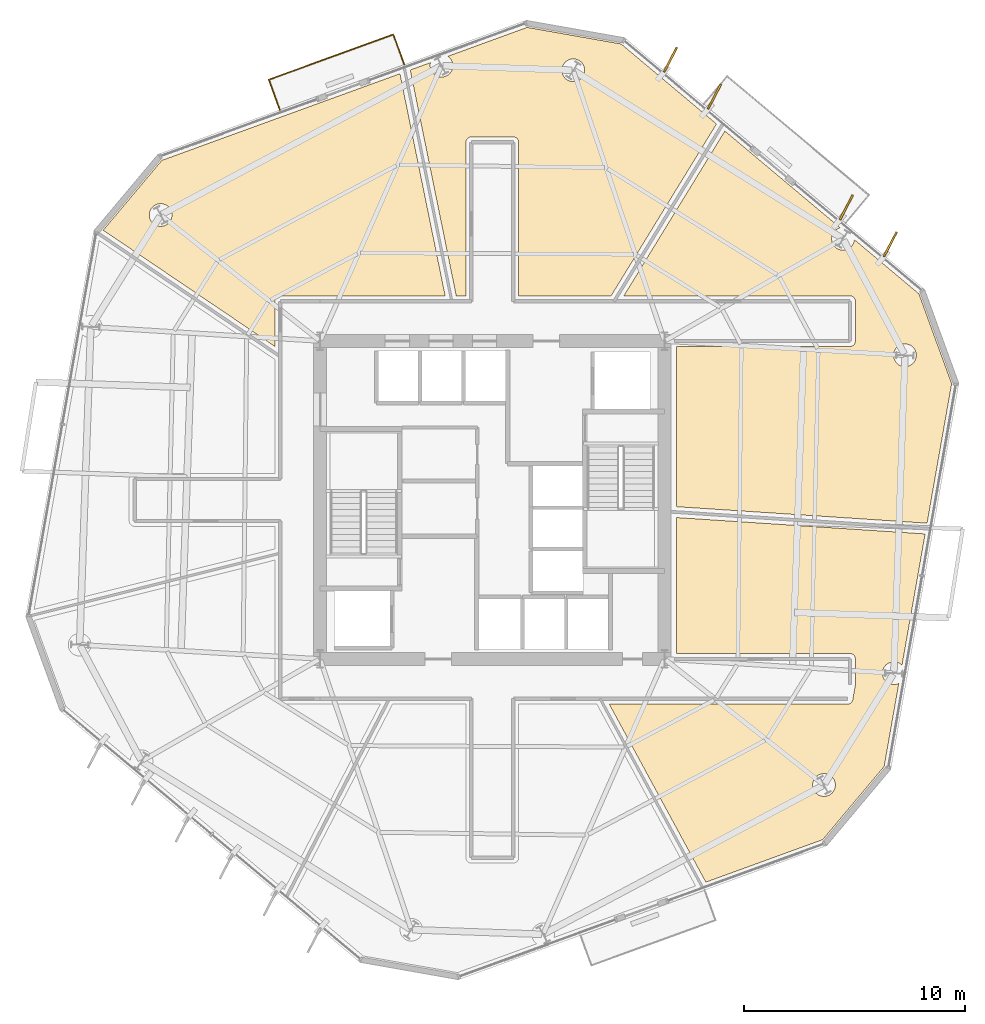
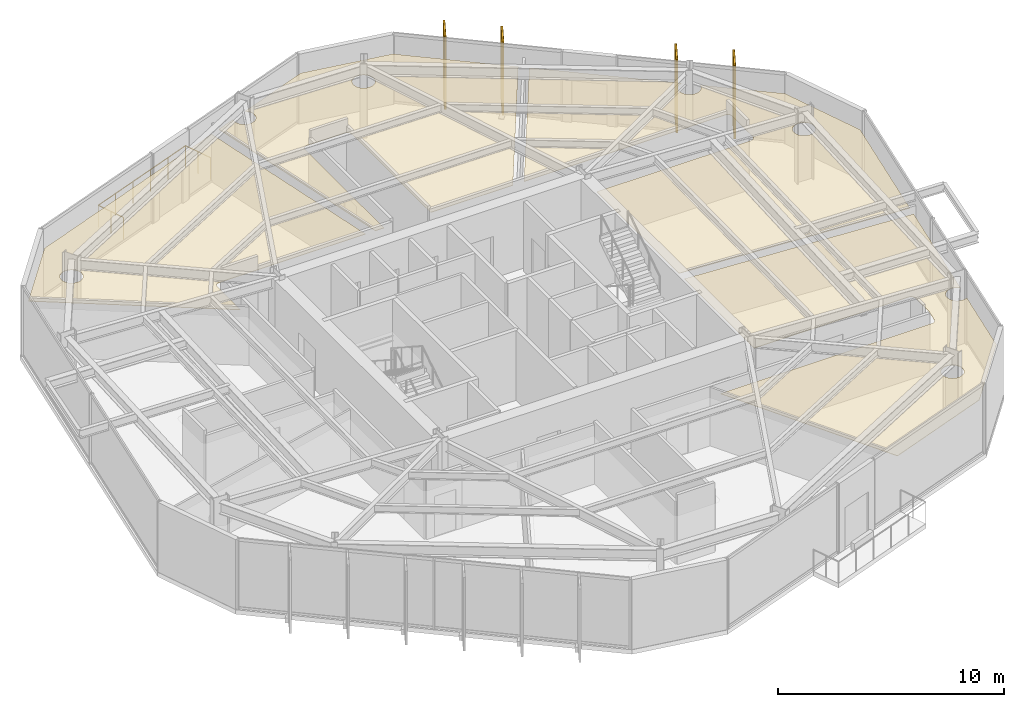
# One storey, part 12 of 13: 8 coverings, 4 shading devices, 1 railing.
"""IFC4 building model written with IfcOpenShell, lengths in metres."""

from ifc_helpers import new_model, si_unit, direction, frame, origin, origin_2d, place, context, subcontext, project, spatial, polyline, rectangle, circle, outline, extrude, material, layer, layer_set, type_object, element, save


model = new_model("IFC4")

# Units and contexts
model_context = context("Model", 3, precision=1e-05, world=origin(), true_north=direction((0.0, 1.0)))
body_context = subcontext(model_context, "Body", "Model", "MODEL_VIEW")
ifc_project = project(units=[si_unit("LENGTHUNIT", "METRE"), si_unit("AREAUNIT", "SQUARE_METRE"), si_unit("VOLUMEUNIT", "CUBIC_METRE"), si_unit("PLANEANGLEUNIT", "RADIAN"), si_unit("MASSUNIT", "GRAM", prefix="KILO")], contexts=[model_context])

# Site, building, storey
site_placement = place(None, origin())
site = spatial("IfcSite", under=ifc_project, at=site_placement, CompositionType="ELEMENT")
building_placement = place(site_placement, origin())
building = spatial("IfcBuilding", under=site, at=building_placement, Name="Kranzbogen Civic Tower", CompositionType="ELEMENT")
storey_placement = place(building_placement, frame((0.0, 0.0, 102.39990234375)))
storey = spatial("IfcBuildingStorey", under=building, at=storey_placement, Name="L24", CompositionType="ELEMENT", Elevation=102.39990234375)

# Coverings
ifc_material_1 = material(Name="Pale Anodised Aluminium", Category="aluminium")
ifc_layer_1 = layer(ifc_material_1, 0.02490234375, Name="Pale Anodised Aluminium")
ifc_layer_set_1 = layer_set([ifc_layer_1], Name="Pale Anodised Aluminium")
covering_type_1 = type_object("IfcCoveringType", Name="Anodised Aluminium Vertical Fin Cladding 25 mm", PredefinedType="CLADDING", material=ifc_layer_set_1)
for number, where, z_axis, x_axis, name in (
    (1, (43.027099609375, 36.58203125, -0.139892578125), (0.0, 0.0, 1.0), (0.461856978605, 0.886954413323, 0.0), "L24 vertical fin pale-metal cladding F1-1"),
    (2, (41.035888671875, 38.2529296875, -0.139892578125), (0.0, 0.0, 1.0), (0.461856978605, 0.886954413323, 0.0), "L24 vertical fin pale-metal cladding F1-2"),
    (3, (35.06005859375, 43.26708984375, -0.139892578125), (0.0, 0.0, 1.0), (0.461856978605, 0.886954413323, 0.0), "L24 vertical fin pale-metal cladding F1-5"),
    (4, (33.069091796875, 44.93798828125, -0.139892578125), (0.0, 0.0, 1.0), (0.461856978605, 0.886954413323, 0.0), "L24 vertical fin pale-metal cladding F1-6"),
):
    element("IfcCovering", number, at=place(storey_placement, frame(where, z_axis=z_axis, x_axis=x_axis)), inside=storey, type_object=covering_type_1, Name=name, PredefinedType="CLADDING", context=body_context, shape_type="SweptSolid", body=[
        extrude(rectangle(XDim=1.25, YDim=0.10009765625, at=origin_2d()), origin(), (0.0, 0.0, 1.0), 3.9599609375),
    ])

# Shading devices
ifc_material_2 = material(Name="Anodised Bronze Aluminium", Category="aluminium")
shading_device_type = type_object("IfcShadingDeviceType", Name="Anodised Bronze Vertical Facade Fin 1250x80", PredefinedType="USERDEFINED", material=ifc_material_2)
for number, where, z_axis, x_axis, name in (
    (5, (43.027099609375, 36.58203125, -0.139892578125), (0.0, 0.0, 1.0), (0.461856978605, 0.886954413323, 0.0), "L24 vertical exterior shading fin F1-1"),
    (6, (41.035888671875, 38.2529296875, -0.139892578125), (0.0, 0.0, 1.0), (0.461856978605, 0.886954413323, 0.0), "L24 vertical exterior shading fin F1-2"),
    (7, (35.06005859375, 43.26708984375, -0.139892578125), (0.0, 0.0, 1.0), (0.461856978605, 0.886954413323, 0.0), "L24 vertical exterior shading fin F1-5"),
    (8, (33.069091796875, 44.93798828125, -0.139892578125), (0.0, 0.0, 1.0), (0.461856978605, 0.886954413323, 0.0), "L24 vertical exterior shading fin F1-6"),
):
    element("IfcShadingDevice", number, at=place(storey_placement, frame(where, z_axis=z_axis, x_axis=x_axis)), inside=storey, type_object=shading_device_type, Name=name, ObjectType="FIN", PredefinedType="USERDEFINED", context=body_context, shape_type="SweptSolid", body=[
        extrude(rectangle(XDim=1.25, YDim=0.080078125, at=origin_2d()), origin(), (0.0, 0.0, 1.0), 3.9599609375),
    ])

# Railing
railing_type = type_object("IfcRailingType", Name="Cantilevered Balcony Glass and Bronze Balustrade 1200", PredefinedType="BALUSTRADE", material=ifc_material_2)
railing_placement = place(storey_placement, frame((21.012939453125, 44.72607421875, 0.0)))
element("IfcRailing", 9, at=railing_placement, inside=storey, type_object=railing_type, Name="L24 exterior terrace balustrade L24-TB2", PredefinedType="BALUSTRADE", context=body_context, shape_type="SweptSolid", body=[
    extrude(circle(Radius=0.02392578125, at=origin_2d()), frame((0.0, 0.0, 1.17578125), z_axis=(-0.341864695336, 0.939749184667, 0.0), x_axis=(-0.939749184667, -0.341864695336, 0.0)), (0.0, 0.0, 1.0), 1.450439453125),
    extrude(circle(Radius=0.02392578125, at=origin_2d()), frame((-0.495849609375, 1.363037109375, 1.17578125), z_axis=(-0.939699533273, -0.342001150825, 0.0), x_axis=(0.342001150825, -0.939699533273, 0.0)), (0.0, 0.0, 1.0), 6.0),
    extrude(circle(Radius=0.02392578125, at=origin_2d()), frame((-6.134033203125, -0.68896484375, 1.17578125), z_axis=(0.342013333644, -0.939695099279, 0.0), x_axis=(0.939695099279, 0.342013333644, 0.0)), (0.0, 0.0, 1.0), 1.450439453125),
    extrude(circle(Radius=0.02099609375, at=origin_2d()), origin(), (0.0, 0.0, 1.0), 1.15185546875),
    extrude(circle(Radius=0.02099609375, at=origin_2d()), frame((-0.248046875, 0.681640625, 0.0)), (0.0, 0.0, 1.0), 1.15185546875),
    extrude(circle(Radius=0.02099609375, at=origin_2d()), frame((-0.495849609375, 1.363037109375, 0.0)), (0.0, 0.0, 1.0), 1.15185546875),
    extrude(circle(Radius=0.02099609375, at=origin_2d()), frame((-1.62353515625, 0.95263671875, 0.0)), (0.0, 0.0, 1.0), 1.15185546875),
    extrude(circle(Radius=0.02099609375, at=origin_2d()), frame((-2.751220703125, 0.542236328125, 0.0)), (0.0, 0.0, 1.0), 1.15185546875),
    extrude(circle(Radius=0.02099609375, at=origin_2d()), frame((-3.878662109375, 0.1318359375, 0.0)), (0.0, 0.0, 1.0), 1.15185546875),
    extrude(circle(Radius=0.02099609375, at=origin_2d()), frame((-5.00634765625, -0.278564453125, 0.0)), (0.0, 0.0, 1.0), 1.15185546875),
    extrude(circle(Radius=0.02099609375, at=origin_2d()), frame((-6.134033203125, -0.68896484375, 0.0)), (0.0, 0.0, 1.0), 1.15185546875),
    extrude(circle(Radius=0.02099609375, at=origin_2d()), frame((-5.885986328125, -1.37060546875, 0.0)), (0.0, 0.0, 1.0), 1.15185546875),
    extrude(circle(Radius=0.02099609375, at=origin_2d()), frame((-5.637939453125, -2.052001953125, 0.0)), (0.0, 0.0, 1.0), 1.15185546875),
])

# Coverings
ifc_material_3 = material(Name="Perforated Acoustic Gypsum Ceiling")
ifc_layer_2 = layer(ifc_material_3, 0.02490234375, Name="Perforated Acoustic Gypsum Ceiling")
ifc_layer_set_2 = layer_set([ifc_layer_2], Name="Perforated Acoustic Gypsum Ceiling")
covering_type_2 = type_object("IfcCoveringType", Name="Perforated Acoustic Mineral Ceiling Tile 25 mm", PredefinedType="CEILING", material=ifc_layer_set_2)
covering_1_placement = place(storey_placement, frame((0.0, 0.0, 2.75)))
element("IfcCovering", 10, at=covering_1_placement, inside=storey, type_object=covering_type_2, Name="L24 Policy Seminar Room acoustic ceiling", PredefinedType="CEILING", context=body_context, shape_type="SweptSolid", body=[
    extrude(outline(polyline([(41.199951171875, 31.955078125), (41.208984375, 31.955078125), (41.215087890625, 31.9560546875), (41.23291015625, 31.95703125), (41.239013671875, 31.9580078125), (41.256103515625, 31.9619140625), (41.262939453125, 31.962890625), (41.280029296875, 31.968017578125), (41.285888671875, 31.969970703125), (41.302001953125, 31.97705078125), (41.30810546875, 31.97998046875), (41.322998046875, 31.988037109375), (41.3291015625, 31.991943359375), (41.343017578125, 32.0009765625), (41.347900390625, 32.0048828125), (41.362060546875, 32.01611328125), (41.366943359375, 32.02099609375), (41.37890625, 32.032958984375), (41.384033203125, 32.0380859375), (41.39501953125, 32.052001953125), (41.39892578125, 32.056884765625), (41.407958984375, 32.071044921875), (41.412109375, 32.076904296875), (41.419921875, 32.092041015625), (41.423095703125, 32.097900390625), (41.429931640625, 32.114013671875), (41.431884765625, 32.1201171875), (41.43701171875, 32.136962890625), (41.43798828125, 32.14404296875), (41.44189453125, 32.160888671875), (41.443115234375, 32.1669921875), (41.444091796875, 32.18505859375), (41.445068359375, 32.19091796875), (41.445068359375, 32.199951171875), (41.445068359375, 34.0), (41.445068359375, 34.009033203125), (41.444091796875, 34.014892578125), (41.443115234375, 34.032958984375), (41.44189453125, 34.0390625), (41.43798828125, 34.055908203125), (41.43701171875, 34.06298828125), (41.431884765625, 34.080078125), (41.429931640625, 34.0859375), (41.423095703125, 34.10205078125), (41.419921875, 34.10791015625), (41.412109375, 34.123046875), (41.407958984375, 34.12890625), (41.39892578125, 34.14306640625), (41.39501953125, 34.14794921875), (41.384033203125, 34.162109375), (41.37890625, 34.1669921875), (41.366943359375, 34.178955078125), (41.362060546875, 34.18408203125), (41.347900390625, 34.195068359375), (41.343017578125, 34.198974609375), (41.3291015625, 34.2080078125), (41.322998046875, 34.2119140625), (41.30810546875, 34.219970703125), (41.302001953125, 34.222900390625), (41.285888671875, 34.22998046875), (41.280029296875, 34.23193359375), (41.262939453125, 34.237060546875), (41.256103515625, 34.238037109375), (41.239013671875, 34.241943359375), (41.23291015625, 34.242919921875), (41.215087890625, 34.243896484375), (41.208984375, 34.2451171875), (41.199951171875, 34.2451171875), (30.9560546875, 34.2451171875), (35.533935546875, 41.712890625), (40.761962890625, 37.326904296875), (40.737060546875, 37.321044921875), (40.68896484375, 37.303955078125), (40.64404296875, 37.282958984375), (40.60009765625, 37.257080078125), (40.56005859375, 37.22705078125), (40.52197265625, 37.193115234375), (40.488037109375, 37.155029296875), (40.4580078125, 37.114990234375), (40.431884765625, 37.071044921875), (40.410888671875, 37.02587890625), (40.39404296875, 36.97802734375), (40.382080078125, 36.928955078125), (40.3740234375, 36.87890625), (40.3720703125, 36.8291015625), (40.3740234375, 36.779052734375), (40.382080078125, 36.72900390625), (40.39404296875, 36.679931640625), (40.410888671875, 36.632080078125), (40.431884765625, 36.5869140625), (40.4580078125, 36.54296875), (40.488037109375, 36.5029296875), (40.52197265625, 36.465087890625), (40.56005859375, 36.430908203125), (40.60009765625, 36.40087890625), (40.64404296875, 36.375), (40.68896484375, 36.35400390625), (40.737060546875, 36.3369140625), (40.785888671875, 36.324951171875), (40.8359375, 36.31689453125), (40.885986328125, 36.31494140625), (40.93603515625, 36.31689453125), (40.986083984375, 36.324951171875), (41.034912109375, 36.3369140625), (41.0830078125, 36.35400390625), (41.1279296875, 36.375), (41.172119140625, 36.40087890625), (41.2119140625, 36.430908203125), (41.25, 36.465087890625), (41.283935546875, 36.5029296875), (41.31396484375, 36.54296875), (41.340087890625, 36.5869140625), (41.361083984375, 36.632080078125), (41.3779296875, 36.679931640625), (41.389892578125, 36.72900390625), (41.39794921875, 36.779052734375), (41.39892578125, 36.79296875), (44.326904296875, 34.3359375), (45.806884765625, 30.27197265625), (44.69189453125, 23.948974609375), (33.344970703125, 24.696044921875), (33.344970703125, 31.955078125), (41.199951171875, 31.955078125)]), holes=[polyline([(44.1650390625, 31.35888671875), (44.14404296875, 31.31396484375), (44.117919921875, 31.27001953125), (44.087890625, 31.22998046875), (44.053955078125, 31.19189453125), (44.01611328125, 31.157958984375), (43.97607421875, 31.1279296875), (43.931884765625, 31.10205078125), (43.886962890625, 31.0810546875), (43.839111328125, 31.06396484375), (43.7900390625, 31.052001953125), (43.739990234375, 31.0439453125), (43.68994140625, 31.0419921875), (43.639892578125, 31.0439453125), (43.590087890625, 31.052001953125), (43.541015625, 31.06396484375), (43.492919921875, 31.0810546875), (43.447998046875, 31.10205078125), (43.404052734375, 31.1279296875), (43.364013671875, 31.157958984375), (43.325927734375, 31.19189453125), (43.2919921875, 31.22998046875), (43.261962890625, 31.27001953125), (43.236083984375, 31.31396484375), (43.215087890625, 31.35888671875), (43.197998046875, 31.406982421875), (43.18603515625, 31.4560546875), (43.177978515625, 31.506103515625), (43.176025390625, 31.555908203125), (43.177978515625, 31.60595703125), (43.18603515625, 31.656005859375), (43.197998046875, 31.705078125), (43.215087890625, 31.7529296875), (43.236083984375, 31.798095703125), (43.261962890625, 31.842041015625), (43.2919921875, 31.882080078125), (43.325927734375, 31.919921875), (43.364013671875, 31.9541015625), (43.404052734375, 31.98388671875), (43.447998046875, 32.010009765625), (43.492919921875, 32.031005859375), (43.541015625, 32.048095703125), (43.590087890625, 32.06005859375), (43.639892578125, 32.068115234375), (43.68994140625, 32.070068359375), (43.739990234375, 32.068115234375), (43.7900390625, 32.06005859375), (43.839111328125, 32.048095703125), (43.886962890625, 32.031005859375), (43.931884765625, 32.010009765625), (43.97607421875, 31.98388671875), (44.01611328125, 31.9541015625), (44.053955078125, 31.919921875), (44.087890625, 31.882080078125), (44.117919921875, 31.842041015625), (44.14404296875, 31.798095703125), (44.1650390625, 31.7529296875), (44.181884765625, 31.705078125), (44.194091796875, 31.656005859375), (44.201904296875, 31.60595703125), (44.2041015625, 31.555908203125), (44.201904296875, 31.506103515625), (44.194091796875, 31.4560546875), (44.181884765625, 31.406982421875), (44.1650390625, 31.35888671875)])]), origin(), (0.0, 0.0, 1.0), 0.025146484375),
])
covering_2_placement = place(storey_placement, frame((0.0, 0.0, 2.75)))
element("IfcCovering", 11, at=covering_2_placement, inside=storey, type_object=covering_type_2, Name="L24 Civic Reference Library acoustic ceiling", PredefinedType="CEILING", context=body_context, shape_type="SweptSolid", body=[
    extrude(outline(polyline([(34.673095703125, 7.68896484375), (30.2958984375, 15.7548828125), (41.0869140625, 15.7548828125), (41.095947265625, 15.7548828125), (41.10205078125, 15.756103515625), (41.1201171875, 15.757080078125), (41.126953125, 15.758056640625), (41.14404296875, 15.761962890625), (41.14990234375, 15.762939453125), (41.16796875, 15.76904296875), (41.174072265625, 15.77099609375), (41.18994140625, 15.778076171875), (41.196044921875, 15.781005859375), (41.2119140625, 15.7890625), (41.217041015625, 15.79296875), (41.23193359375, 15.802978515625), (41.237060546875, 15.806884765625), (41.2509765625, 15.818115234375), (41.256103515625, 15.822998046875), (41.26806640625, 15.8359375), (41.27294921875, 15.840087890625), (41.283935546875, 15.85400390625), (41.2880859375, 15.860107421875), (41.297119140625, 15.875), (41.301025390625, 15.8798828125), (41.30908203125, 15.89599609375), (41.31103515625, 15.902099609375), (41.318115234375, 15.9189453125), (41.320068359375, 15.925048828125), (41.324951171875, 15.94189453125), (41.325927734375, 15.948974609375), (41.327880859375, 15.95703125), (41.44091796875, 16.59912109375), (41.44189453125, 16.60693359375), (41.443115234375, 16.612060546875), (41.445068359375, 16.6279296875), (41.445068359375, 16.634033203125), (41.445068359375, 16.64208984375), (41.445068359375, 17.800048828125), (41.445068359375, 17.80908203125), (41.444091796875, 17.81494140625), (41.443115234375, 17.8330078125), (41.44189453125, 17.839111328125), (41.43798828125, 17.85595703125), (41.43701171875, 17.863037109375), (41.431884765625, 17.8798828125), (41.429931640625, 17.885986328125), (41.423095703125, 17.902099609375), (41.419921875, 17.907958984375), (41.412109375, 17.923095703125), (41.407958984375, 17.928955078125), (41.39892578125, 17.943115234375), (41.39501953125, 17.947998046875), (41.384033203125, 17.9619140625), (41.37890625, 17.967041015625), (41.366943359375, 17.97900390625), (41.362060546875, 17.98388671875), (41.347900390625, 17.9951171875), (41.343017578125, 17.9990234375), (41.3291015625, 18.008056640625), (41.322998046875, 18.011962890625), (41.30810546875, 18.02001953125), (41.302001953125, 18.02294921875), (41.285888671875, 18.030029296875), (41.280029296875, 18.031982421875), (41.262939453125, 18.037109375), (41.256103515625, 18.0380859375), (41.239013671875, 18.0419921875), (41.23291015625, 18.04296875), (41.215087890625, 18.0439453125), (41.208984375, 18.044921875), (41.199951171875, 18.044921875), (33.344970703125, 18.044921875), (33.344970703125, 24.205078125), (44.60595703125, 23.464111328125), (43.556884765625, 17.512939453125), (43.551025390625, 17.52001953125), (43.512939453125, 17.553955078125), (43.472900390625, 17.583984375), (43.428955078125, 17.610107421875), (43.384033203125, 17.631103515625), (43.3359375, 17.64794921875), (43.287109375, 17.659912109375), (43.237060546875, 17.66796875), (43.18701171875, 17.669921875), (43.136962890625, 17.66796875), (43.0869140625, 17.659912109375), (43.0380859375, 17.64794921875), (42.989990234375, 17.631103515625), (42.945068359375, 17.610107421875), (42.90087890625, 17.583984375), (42.861083984375, 17.553955078125), (42.822998046875, 17.52001953125), (42.7890625, 17.48193359375), (42.759033203125, 17.44189453125), (42.73291015625, 17.39794921875), (42.7119140625, 17.35302734375), (42.695068359375, 17.304931640625), (42.68310546875, 17.256103515625), (42.675048828125, 17.2060546875), (42.673095703125, 17.156005859375), (42.675048828125, 17.10595703125), (42.68310546875, 17.055908203125), (42.695068359375, 17.007080078125), (42.7119140625, 16.958984375), (42.73291015625, 16.9140625), (42.759033203125, 16.8701171875), (42.7890625, 16.830078125), (42.822998046875, 16.7919921875), (42.861083984375, 16.758056640625), (42.90087890625, 16.72802734375), (42.945068359375, 16.701904296875), (42.989990234375, 16.680908203125), (43.0380859375, 16.6640625), (43.0869140625, 16.652099609375), (43.136962890625, 16.64404296875), (43.18701171875, 16.64208984375), (43.237060546875, 16.64404296875), (43.287109375, 16.652099609375), (43.3359375, 16.6640625), (43.384033203125, 16.680908203125), (43.4130859375, 16.695068359375), (42.7490234375, 12.929931640625), (39.968017578125, 9.616943359375), (34.673095703125, 7.68896484375)]), holes=[polyline([(40.498046875, 11.89501953125), (40.47705078125, 11.85009765625), (40.450927734375, 11.805908203125), (40.4208984375, 11.76611328125), (40.386962890625, 11.72802734375), (40.34912109375, 11.694091796875), (40.30908203125, 11.6640625), (40.264892578125, 11.637939453125), (40.219970703125, 11.616943359375), (40.172119140625, 11.60009765625), (40.123046875, 11.587890625), (40.072998046875, 11.580078125), (40.02294921875, 11.577880859375), (39.972900390625, 11.580078125), (39.923095703125, 11.587890625), (39.8740234375, 11.60009765625), (39.825927734375, 11.616943359375), (39.781005859375, 11.637939453125), (39.737060546875, 11.6640625), (39.697021484375, 11.694091796875), (39.658935546875, 11.72802734375), (39.625, 11.76611328125), (39.594970703125, 11.805908203125), (39.569091796875, 11.85009765625), (39.548095703125, 11.89501953125), (39.531005859375, 11.943115234375), (39.51904296875, 11.991943359375), (39.510986328125, 12.0419921875), (39.509033203125, 12.092041015625), (39.510986328125, 12.14208984375), (39.51904296875, 12.19189453125), (39.531005859375, 12.240966796875), (39.548095703125, 12.2890625), (39.569091796875, 12.333984375), (39.594970703125, 12.3779296875), (39.625, 12.41796875), (39.658935546875, 12.4560546875), (39.697021484375, 12.489990234375), (39.737060546875, 12.52001953125), (39.781005859375, 12.5458984375), (39.825927734375, 12.56689453125), (39.8740234375, 12.583984375), (39.923095703125, 12.595947265625), (39.972900390625, 12.60400390625), (40.02294921875, 12.60595703125), (40.072998046875, 12.60400390625), (40.123046875, 12.595947265625), (40.172119140625, 12.583984375), (40.219970703125, 12.56689453125), (40.264892578125, 12.5458984375), (40.30908203125, 12.52001953125), (40.34912109375, 12.489990234375), (40.386962890625, 12.4560546875), (40.4208984375, 12.41796875), (40.450927734375, 12.3779296875), (40.47705078125, 12.333984375), (40.498046875, 12.2890625), (40.514892578125, 12.240966796875), (40.527099609375, 12.19189453125), (40.534912109375, 12.14208984375), (40.537109375, 12.092041015625), (40.534912109375, 12.0419921875), (40.527099609375, 11.991943359375), (40.514892578125, 11.943115234375), (40.498046875, 11.89501953125)])]), origin(), (0.0, 0.0, 1.0), 0.025146484375),
])
covering_3_placement = place(storey_placement, frame((0.0, 0.0, 2.75)))
element("IfcCovering", 12, at=covering_3_placement, inside=storey, type_object=covering_type_2, Name="L24 Urban Design Workshop acoustic ceiling", PredefinedType="CEILING", context=body_context, shape_type="SweptSolid", body=[
    extrude(outline(polyline([(30.837890625, 45.654052734375), (35.155029296875, 42.031982421875), (30.381103515625, 34.2451171875), (26.195068359375, 34.2451171875), (26.195068359375, 41.199951171875), (26.195068359375, 41.208984375), (26.194091796875, 41.215087890625), (26.193115234375, 41.23291015625), (26.19189453125, 41.239013671875), (26.18798828125, 41.256103515625), (26.18701171875, 41.262939453125), (26.181884765625, 41.280029296875), (26.179931640625, 41.285888671875), (26.173095703125, 41.302001953125), (26.169921875, 41.30810546875), (26.162109375, 41.322998046875), (26.157958984375, 41.3291015625), (26.14892578125, 41.343017578125), (26.14501953125, 41.347900390625), (26.134033203125, 41.362060546875), (26.12890625, 41.366943359375), (26.116943359375, 41.37890625), (26.112060546875, 41.384033203125), (26.097900390625, 41.39501953125), (26.093017578125, 41.39892578125), (26.0791015625, 41.407958984375), (26.072998046875, 41.412109375), (26.05810546875, 41.419921875), (26.052001953125, 41.423095703125), (26.035888671875, 41.429931640625), (26.030029296875, 41.431884765625), (26.012939453125, 41.43701171875), (26.006103515625, 41.43798828125), (25.989013671875, 41.44189453125), (25.98291015625, 41.443115234375), (25.965087890625, 41.444091796875), (25.958984375, 41.445068359375), (25.949951171875, 41.445068359375), (24.050048828125, 41.445068359375), (24.041015625, 41.445068359375), (24.034912109375, 41.444091796875), (24.01708984375, 41.443115234375), (24.010986328125, 41.44189453125), (23.993896484375, 41.43798828125), (23.987060546875, 41.43701171875), (23.969970703125, 41.431884765625), (23.964111328125, 41.429931640625), (23.947998046875, 41.423095703125), (23.94189453125, 41.419921875), (23.927001953125, 41.412109375), (23.9208984375, 41.407958984375), (23.906982421875, 41.39892578125), (23.902099609375, 41.39501953125), (23.887939453125, 41.384033203125), (23.883056640625, 41.37890625), (23.87109375, 41.366943359375), (23.865966796875, 41.362060546875), (23.85498046875, 41.347900390625), (23.85107421875, 41.343017578125), (23.842041015625, 41.3291015625), (23.837890625, 41.322998046875), (23.830078125, 41.30810546875), (23.826904296875, 41.302001953125), (23.820068359375, 41.285888671875), (23.818115234375, 41.280029296875), (23.81298828125, 41.262939453125), (23.81201171875, 41.256103515625), (23.80810546875, 41.239013671875), (23.806884765625, 41.23291015625), (23.805908203125, 41.215087890625), (23.804931640625, 41.208984375), (23.804931640625, 41.199951171875), (23.804931640625, 34.2451171875), (23.366943359375, 34.2451171875), (21.282958984375, 44.47802734375), (22.205078125, 44.81396484375), (22.195068359375, 44.77197265625), (22.18701171875, 44.721923828125), (22.18505859375, 44.672119140625), (22.18701171875, 44.6220703125), (22.195068359375, 44.572021484375), (22.20703125, 44.52294921875), (22.22412109375, 44.47509765625), (22.2451171875, 44.429931640625), (22.27099609375, 44.385986328125), (22.301025390625, 44.345947265625), (22.3349609375, 44.30810546875), (22.373046875, 44.27392578125), (22.4130859375, 44.243896484375), (22.45703125, 44.218017578125), (22.501953125, 44.197021484375), (22.550048828125, 44.179931640625), (22.59912109375, 44.16796875), (22.64892578125, 44.159912109375), (22.698974609375, 44.157958984375), (22.7490234375, 44.159912109375), (22.799072265625, 44.16796875), (22.847900390625, 44.179931640625), (22.89599609375, 44.197021484375), (22.94091796875, 44.218017578125), (22.985107421875, 44.243896484375), (23.02490234375, 44.27392578125), (23.06298828125, 44.30810546875), (23.096923828125, 44.345947265625), (23.126953125, 44.385986328125), (23.153076171875, 44.429931640625), (23.174072265625, 44.47509765625), (23.19091796875, 44.52294921875), (23.202880859375, 44.572021484375), (23.2109375, 44.6220703125), (23.212890625, 44.672119140625), (23.2109375, 44.721923828125), (23.202880859375, 44.77197265625), (23.19091796875, 44.821044921875), (23.174072265625, 44.868896484375), (23.153076171875, 44.9140625), (23.126953125, 44.9580078125), (23.096923828125, 44.998046875), (23.06298828125, 45.035888671875), (23.02490234375, 45.070068359375), (22.986083984375, 45.097900390625), (26.577880859375, 46.406005859375), (30.837890625, 45.654052734375)]), holes=[polyline([(29.14306640625, 44.26708984375), (29.1220703125, 44.221923828125), (29.095947265625, 44.177978515625), (29.06591796875, 44.137939453125), (29.031982421875, 44.10009765625), (28.993896484375, 44.06591796875), (28.9541015625, 44.035888671875), (28.909912109375, 44.010009765625), (28.864990234375, 43.989013671875), (28.81689453125, 43.971923828125), (28.76806640625, 43.9599609375), (28.718017578125, 43.951904296875), (28.66796875, 43.949951171875), (28.617919921875, 43.951904296875), (28.568115234375, 43.9599609375), (28.51904296875, 43.971923828125), (28.470947265625, 43.989013671875), (28.426025390625, 44.010009765625), (28.382080078125, 44.035888671875), (28.342041015625, 44.06591796875), (28.303955078125, 44.10009765625), (28.27001953125, 44.137939453125), (28.239990234375, 44.177978515625), (28.214111328125, 44.221923828125), (28.193115234375, 44.26708984375), (28.176025390625, 44.31494140625), (28.1640625, 44.364013671875), (28.156005859375, 44.4140625), (28.154052734375, 44.464111328125), (28.156005859375, 44.513916015625), (28.1640625, 44.56396484375), (28.176025390625, 44.613037109375), (28.193115234375, 44.660888671875), (28.214111328125, 44.7060546875), (28.239990234375, 44.75), (28.27001953125, 44.7900390625), (28.303955078125, 44.827880859375), (28.342041015625, 44.862060546875), (28.382080078125, 44.89208984375), (28.426025390625, 44.91796875), (28.470947265625, 44.93896484375), (28.51904296875, 44.9560546875), (28.568115234375, 44.968017578125), (28.617919921875, 44.97607421875), (28.66796875, 44.97802734375), (28.718017578125, 44.97607421875), (28.76806640625, 44.968017578125), (28.81689453125, 44.9560546875), (28.864990234375, 44.93896484375), (28.909912109375, 44.91796875), (28.9541015625, 44.89208984375), (28.993896484375, 44.862060546875), (29.031982421875, 44.827880859375), (29.06591796875, 44.7900390625), (29.095947265625, 44.75), (29.1220703125, 44.7060546875), (29.14306640625, 44.660888671875), (29.159912109375, 44.613037109375), (29.172119140625, 44.56396484375), (29.179931640625, 44.513916015625), (29.181884765625, 44.464111328125), (29.179931640625, 44.4140625), (29.172119140625, 44.364013671875), (29.159912109375, 44.31494140625), (29.14306640625, 44.26708984375)])]), origin(), (0.0, 0.0, 1.0), 0.025146484375),
])
covering_4_placement = place(storey_placement, frame((0.0, 0.0, 2.75)))
element("IfcCovering", 13, at=covering_4_placement, inside=storey, type_object=covering_type_2, Name="L24 Cultural Screening Clubroom acoustic ceiling", PredefinedType="CEILING", context=body_context, shape_type="SweptSolid", body=[
    extrude(outline(polyline([(20.81689453125, 44.30908203125), (22.866943359375, 34.2451171875), (15.39990234375, 34.2451171875), (15.39111328125, 34.2451171875), (15.385009765625, 34.243896484375), (15.366943359375, 34.242919921875), (15.361083984375, 34.241943359375), (15.343994140625, 34.238037109375), (15.3369140625, 34.237060546875), (15.320068359375, 34.23193359375), (15.31396484375, 34.22998046875), (15.298095703125, 34.222900390625), (15.2919921875, 34.219970703125), (15.277099609375, 34.2119140625), (15.27099609375, 34.2080078125), (15.257080078125, 34.198974609375), (15.251953125, 34.195068359375), (15.238037109375, 34.18408203125), (15.23291015625, 34.178955078125), (15.220947265625, 34.1669921875), (15.216064453125, 34.162109375), (15.205078125, 34.14794921875), (15.200927734375, 34.14306640625), (15.19189453125, 34.12890625), (15.18798828125, 34.123046875), (15.179931640625, 34.10791015625), (15.177001953125, 34.10205078125), (15.169921875, 34.0859375), (15.16796875, 34.080078125), (15.1630859375, 34.06298828125), (15.162109375, 34.055908203125), (15.157958984375, 34.0390625), (15.156982421875, 34.032958984375), (15.156005859375, 34.014892578125), (15.155029296875, 34.009033203125), (15.155029296875, 34.0), (15.155029296875, 31.955078125), (7.375, 37.218017578125), (10.031982421875, 40.383056640625), (20.81689453125, 44.30908203125)]), holes=[polyline([(10.451904296875, 37.7109375), (10.430908203125, 37.666015625), (10.405029296875, 37.6220703125), (10.375, 37.58203125), (10.341064453125, 37.5439453125), (10.302978515625, 37.510009765625), (10.262939453125, 37.47998046875), (10.218994140625, 37.4541015625), (10.174072265625, 37.43310546875), (10.1259765625, 37.416015625), (10.076904296875, 37.404052734375), (10.027099609375, 37.39599609375), (9.97705078125, 37.39404296875), (9.927001953125, 37.39599609375), (9.876953125, 37.404052734375), (9.827880859375, 37.416015625), (9.780029296875, 37.43310546875), (9.735107421875, 37.4541015625), (9.69091796875, 37.47998046875), (9.65087890625, 37.510009765625), (9.613037109375, 37.5439453125), (9.5791015625, 37.58203125), (9.549072265625, 37.6220703125), (9.52294921875, 37.666015625), (9.501953125, 37.7109375), (9.485107421875, 37.759033203125), (9.472900390625, 37.80810546875), (9.465087890625, 37.85791015625), (9.462890625, 37.907958984375), (9.465087890625, 37.9580078125), (9.472900390625, 38.008056640625), (9.485107421875, 38.056884765625), (9.501953125, 38.10498046875), (9.52294921875, 38.14990234375), (9.549072265625, 38.194091796875), (9.5791015625, 38.23388671875), (9.613037109375, 38.27197265625), (9.65087890625, 38.305908203125), (9.69091796875, 38.3359375), (9.735107421875, 38.362060546875), (9.780029296875, 38.383056640625), (9.827880859375, 38.39990234375), (9.876953125, 38.412109375), (9.927001953125, 38.419921875), (9.97705078125, 38.422119140625), (10.027099609375, 38.419921875), (10.076904296875, 38.412109375), (10.1259765625, 38.39990234375), (10.174072265625, 38.383056640625), (10.218994140625, 38.362060546875), (10.262939453125, 38.3359375), (10.302978515625, 38.305908203125), (10.341064453125, 38.27197265625), (10.375, 38.23388671875), (10.405029296875, 38.194091796875), (10.430908203125, 38.14990234375), (10.451904296875, 38.10498046875), (10.468994140625, 38.056884765625), (10.48095703125, 38.008056640625), (10.489013671875, 37.9580078125), (10.490966796875, 37.907958984375), (10.489013671875, 37.85791015625), (10.48095703125, 37.80810546875), (10.468994140625, 37.759033203125), (10.451904296875, 37.7109375)])]), origin(), (0.0, 0.0, 1.0), 0.025146484375),
])

save(model, "model.ifc")
